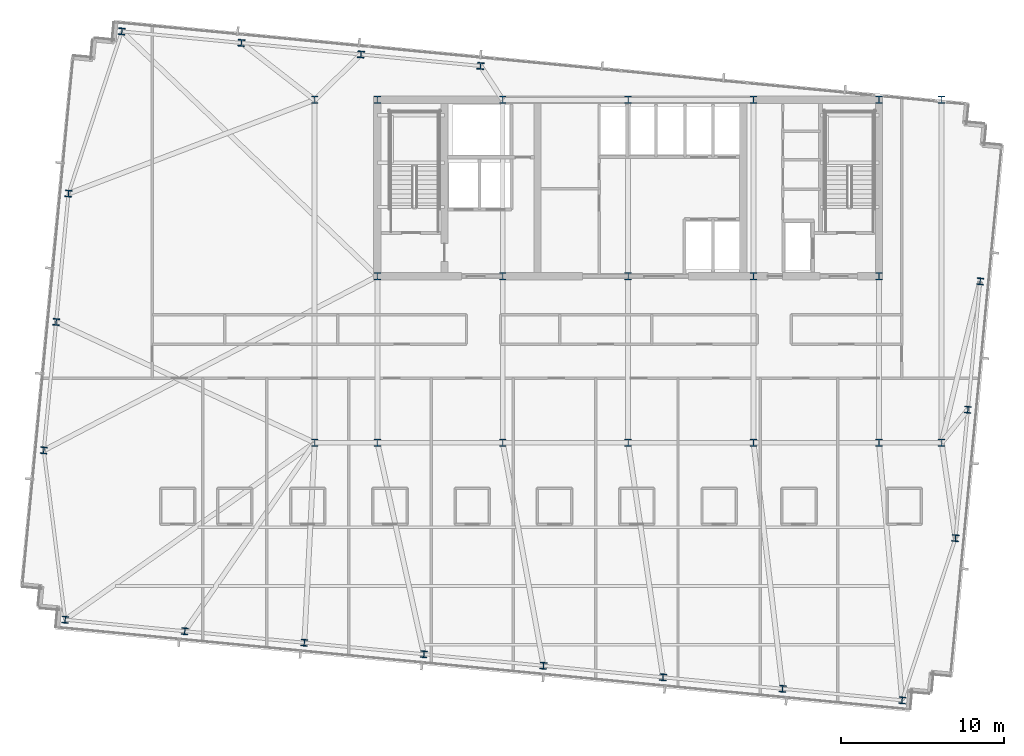
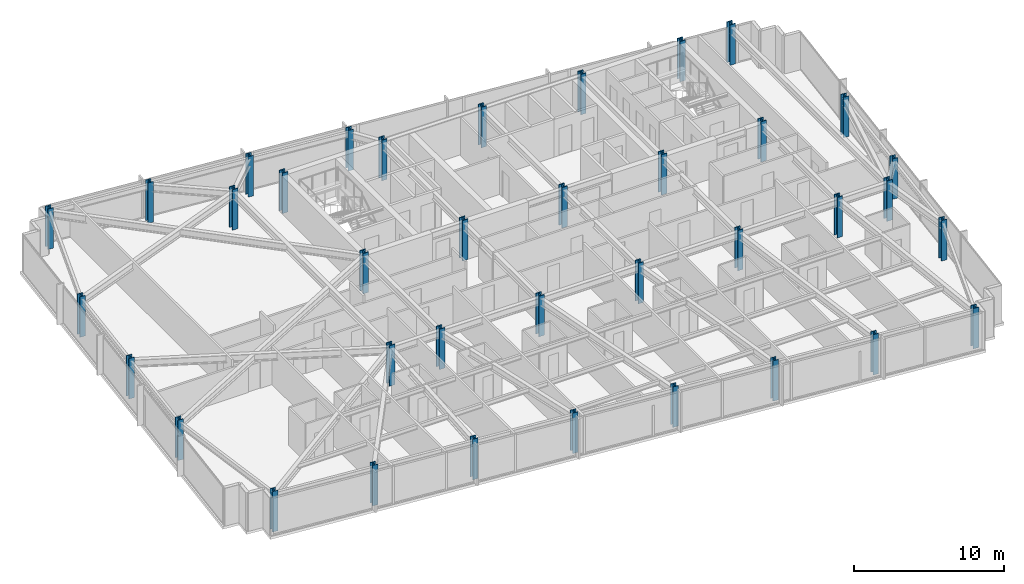
# One storey, part 1 of 37: 37 columns.
"""IFC4 building model written with IfcOpenShell, lengths in metres."""

import ifcopenshell
import ifcopenshell.guid

model = None  # the IFC model being written
_history = None  # IfcOwnerHistory: only IFC2X3 demands one
_inside = {}  # id of a spatial element -> (the spatial element, [elements in it])
_under = {}  # id of a project, library or spatial element -> (it, [spatial elements below it])
_declared = {}  # id of a project -> (the project, [libraries it declares])
_typed = {}  # id of a type object -> (the type object, [elements of that type])
_made_of = {}  # id of a material, layer set ... -> (it, [elements and type objects made of it])


def new_model(schema):
    """Start an empty IFC model of exactly this schema.

    Asked for "IFC4X3", IfcOpenShell would pick the latest addendum, in which some entities
    have other attributes; the version numbers below select the first issue.
    IFC2X3 requires an IfcOwnerHistory on every rooted entity: one is made here for all.
    """
    global model, _history
    if schema == "IFC4X3":
        model = ifcopenshell.file(schema_version=(4, 3, 0, 0))
    else:
        model = ifcopenshell.file(schema=schema)
    _inside.clear()
    _under.clear()
    _declared.clear()
    _typed.clear()
    _made_of.clear()
    _history = None
    if model.schema == "IFC2X3":
        org = make("IfcOrganization", Name="unknown")
        user = make(
            "IfcPersonAndOrganization",
            ThePerson=make("IfcPerson", FamilyName="unknown"),
            TheOrganization=org,
        )
        app = make(
            "IfcApplication",
            ApplicationDeveloper=org,
            Version="unknown",
            ApplicationFullName="unknown",
            ApplicationIdentifier="unknown",
        )
        _history = make(
            "IfcOwnerHistory",
            OwningUser=user,
            OwningApplication=app,
            ChangeAction="ADDED",
            CreationDate=0,
        )
    return model


def make(cls, **values):
    """One entity of the class cls with the attributes given. An attribute that is None is left unset."""
    return model.create_entity(
        cls, **{name: value for name, value in values.items() if value is not None}
    )


def rooted(cls, **values):
    """An entity with a GlobalId (a new one), such as an element, a storey or a relation."""
    return make(cls, GlobalId=ifcopenshell.guid.new(), OwnerHistory=_history, **values)


def si_unit(unit_type, name, prefix=None):
    """IfcSIUnit, for example si_unit("LENGTHUNIT", "METRE", prefix="MILLI")."""
    return make("IfcSIUnit", UnitType=unit_type, Prefix=prefix, Name=name)


def assignment(units):
    """IfcUnitAssignment: the units of a project."""
    return None if units is None else make("IfcUnitAssignment", Units=units)


def point(xyz):
    """IfcCartesianPoint."""
    return None if xyz is None else make("IfcCartesianPoint", Coordinates=xyz)


def direction(xyz):
    """IfcDirection."""
    return None if xyz is None else make("IfcDirection", DirectionRatios=xyz)


def frame(location, z_axis=None, x_axis=None):
    """IfcAxis2Placement3D, a coordinate frame: its origin and axes. An axis left out is left unset."""
    return make(
        "IfcAxis2Placement3D",
        Location=point(location),
        Axis=direction(z_axis),
        RefDirection=direction(x_axis),
    )


def frame_2d(location, x_axis=None):
    """IfcAxis2Placement2D, a coordinate frame in the plane: its origin and x axis."""
    return make(
        "IfcAxis2Placement2D", Location=point(location), RefDirection=direction(x_axis)
    )


def origin():
    """The frame at (0, 0, 0) with its axes left unset."""
    return frame((0.0, 0.0, 0.0))


def origin_2d():
    """The frame at (0, 0) in the plane with its x axis left unset."""
    return frame_2d((0.0, 0.0))


def place(relative_to, where):
    """IfcLocalPlacement: puts the frame where relative to a parent placement (None: the world)."""
    return make(
        "IfcLocalPlacement", PlacementRelTo=relative_to, RelativePlacement=where
    )


def context(
    kind, dimensions, precision=None, world=None, true_north=None, identifier=None
):
    """IfcGeometricRepresentationContext, for example the 3D "Model" context."""
    return make(
        "IfcGeometricRepresentationContext",
        ContextIdentifier=identifier,
        ContextType=kind,
        CoordinateSpaceDimension=dimensions,
        Precision=precision,
        WorldCoordinateSystem=world,
        TrueNorth=true_north,
    )


def subcontext(parent, identifier, kind, view, scale=None):
    """IfcGeometricRepresentationSubContext, for example "Body" below "Model"."""
    return make(
        "IfcGeometricRepresentationSubContext",
        ContextIdentifier=identifier,
        ContextType=kind,
        ParentContext=parent,
        TargetScale=scale,
        TargetView=view,
    )


def project(units=None, contexts=None):
    """IfcProject with its units and contexts."""
    return rooted(
        "IfcProject",
        Name="project",
        RepresentationContexts=contexts,
        UnitsInContext=assignment(units),
    )


def spatial(cls, under=None, at=None, **own):
    """A site, building, storey or space (cls), placed at a placement, below another one or the project."""
    s = rooted(cls, ObjectPlacement=at, **own)
    if under is not None:
        _under.setdefault(under.id(), (under, []))[1].append(s)
    return s


def profile(cls, at=None, kind="AREA", **sizes):
    """A parametric profile (cls). Its sizes go by their IFC names, for example OverallWidth=200.0."""
    return make(cls, ProfileType=kind, Position=at, **sizes)


def i_section(**sizes):
    """IfcIShapeProfileDef."""
    return profile("IfcIShapeProfileDef", **sizes)


def extrude(swept, where, along, depth):
    """IfcExtrudedAreaSolid: the profile swept, set in the frame where, extruded along a direction by depth."""
    return make(
        "IfcExtrudedAreaSolid",
        SweptArea=swept,
        Position=where,
        ExtrudedDirection=direction(along),
        Depth=depth,
    )


def shape(context_of_items, identifier, shape_type, items):
    """IfcShapeRepresentation: the items that make up one representation, for example the "Body"."""
    return make(
        "IfcShapeRepresentation",
        ContextOfItems=context_of_items,
        RepresentationIdentifier=identifier,
        RepresentationType=shape_type,
        Items=items,
    )


def material(Name=None, Category=None):
    """IfcMaterial."""
    return make("IfcMaterial", Name=Name, Category=Category)


def material_profile(
    of_material, cross_section, Name=None, Category=None, Priority=None
):
    """IfcMaterialProfile: a cross section and its material."""
    return make(
        "IfcMaterialProfile",
        Name=Name,
        Material=of_material,
        Profile=cross_section,
        Priority=Priority,
        Category=Category,
    )


def profile_set(profiles, Name=None, composite=None):
    """IfcMaterialProfileSet."""
    return make(
        "IfcMaterialProfileSet",
        Name=Name,
        MaterialProfiles=profiles,
        CompositeProfile=composite,
    )


def made_of(thing, what):
    """Note that an element or type object is made of a material, layer set ...; save() writes the relation."""
    if what is not None:
        _made_of.setdefault(what.id(), (what, []))[1].append(thing)
    return thing


def type_object(cls, material=None, **own):
    """A type object (cls), such as IfcWallType, which elements share."""
    return made_of(rooted(cls, **own), material)


def element(
    cls,
    number,
    at=None,
    inside=None,
    cuts=None,
    type_object=None,
    material=None,
    context=None,
    identifier="Body",
    shape_type=None,
    held_by="IfcProductDefinitionShape",
    body=None,
    shapes=None,
    **own,
):
    """One element of the class cls, such as IfcWall. Its Tag is "e" and its number.

    at: its placement. inside: the storey or other place that contains it. cuts: it is an
    opening in that element (IfcRelVoidsElement). A single representation is given by context,
    identifier, shape_type and body (its items); several are given by shapes. held_by: the class
    of the entity that holds the representations. save() writes the other relations.
    """
    e = rooted(cls, Tag="e%d" % number, ObjectPlacement=at, **own)
    if body is not None:
        shapes = [shape(context, identifier, shape_type, body)]
    if shapes is not None:
        e.Representation = make(held_by, Representations=shapes)
    if inside is not None:
        _inside.setdefault(inside.id(), (inside, []))[1].append(e)
    if cuts is not None:
        rooted(
            "IfcRelVoidsElement", RelatingBuildingElement=cuts, RelatedOpeningElement=e
        )
    if type_object is not None:
        _typed.setdefault(type_object.id(), (type_object, []))[1].append(e)
    return made_of(e, material)


def aggregate(whole, parts):
    """IfcRelAggregates: a whole, such as a stair, and the parts it consists of."""
    return rooted("IfcRelAggregates", RelatingObject=whole, RelatedObjects=parts)


def save(model, path):
    """Write the relations noted so far, then the file.

    IfcRelAggregates (storeys below a building ...), IfcRelContainedInSpatialStructure (elements
    in a storey), IfcRelDefinesByType, IfcRelAssociatesMaterial and IfcRelDeclares: one each for
    every whole, place, type object, material and project.
    """
    for whole, parts in _under.values():
        aggregate(whole, parts)
    for where, things in _inside.values():
        rooted(
            "IfcRelContainedInSpatialStructure",
            RelatedElements=things,
            RelatingStructure=where,
        )
    for kind, things in _typed.values():
        rooted("IfcRelDefinesByType", RelatedObjects=things, RelatingType=kind)
    for what, things in _made_of.values():
        rooted("IfcRelAssociatesMaterial", RelatedObjects=things, RelatingMaterial=what)
    for by, libraries in _declared.values():
        rooted("IfcRelDeclares", RelatingContext=by, RelatedDefinitions=libraries)
    model.write(path)


model = new_model("IFC4")

# Units and contexts
model_context = context("Model", 3, precision=1e-05, world=origin(), true_north=direction((0.0, 1.0)))
body_context = subcontext(model_context, "Body", "Model", "MODEL_VIEW")
ifc_project = project(units=[si_unit("LENGTHUNIT", "METRE"), si_unit("AREAUNIT", "SQUARE_METRE"), si_unit("VOLUMEUNIT", "CUBIC_METRE"), si_unit("PLANEANGLEUNIT", "RADIAN"), si_unit("MASSUNIT", "GRAM", prefix="KILO")], contexts=[model_context])

# Site, building, storey
site_placement = place(None, origin())
site = spatial("IfcSite", under=ifc_project, at=site_placement, CompositionType="ELEMENT")
building_placement = place(site_placement, origin())
building = spatial("IfcBuilding", under=site, at=building_placement, Name="Yelkora Congress Tower", CompositionType="ELEMENT")
storey_placement = place(building_placement, frame((0.0, 0.0, 182.0)))
storey = spatial("IfcBuildingStorey", under=building, at=storey_placement, Name="L50", CompositionType="ELEMENT", Elevation=182.0)

# Columns
ifc_material = material(Name="Steel S460M", Category="steel")
ifc_material_profile_1 = material_profile(ifc_material, i_section(OverallWidth=0.406005859375, OverallDepth=0.416015625, WebThickness=0.02978515625, FlangeThickness=0.048095703125, FilletRadius=0.014892578125, at=origin_2d()), Name="HD 400x382")
ifc_profile_set_1 = profile_set([ifc_material_profile_1], Name="Steel S460M")
column_type_1 = type_object("IfcColumnType", Name="COL-HD-382-EXT", PredefinedType="COLUMN", material=ifc_profile_set_1)
for number, where, z_axis, x_axis, name in (
    (1, (3.919189453125, 14.357421875, 0.0), (0.0, 0.0, 1.0), (0.995396198367, -0.09584575252, 0.0), "L50 Perimeter Column S01"),
    (2, (11.242431640625, 13.652099609375, 0.0), (0.0, 0.0, 1.0), (0.995396198367, -0.09584575252, 0.0), "L50 Perimeter Column S02"),
    (3, (18.56591796875, 12.947021484375, 0.0), (0.0, 0.0, 1.0), (0.995396198367, -0.09584575252, 0.0), "L50 Perimeter Column S03"),
    (4, (25.888916015625, 12.24169921875, 0.0), (0.0, 0.0, 1.0), (0.995396198367, -0.09584575252, 0.0), "L50 Perimeter Column S04"),
    (5, (33.21240234375, 11.53662109375, 0.0), (0.0, 0.0, 1.0), (0.995396198367, -0.09584575252, 0.0), "L50 Perimeter Column S05"),
    (6, (40.53564453125, 10.83154296875, 0.0), (0.0, 0.0, 1.0), (0.995396198367, -0.09584575252, 0.0), "L50 Perimeter Column S06"),
    (7, (47.85888671875, 10.12646484375, 0.0), (0.0, 0.0, 1.0), (0.995396198367, -0.09584575252, 0.0), "L50 Perimeter Column S07"),
    (8, (55.18212890625, 9.421142578125, 0.0), (0.0, 0.0, 1.0), (0.995396198367, -0.09584575252, 0.0), "L50 Perimeter Column S08"),
    (9, (7.388916015625, 50.390625, 0.0), (0.0, 0.0, 1.0), (0.995396198367, -0.09584575252, 0.0), "L50 Perimeter Column N01"),
    (10, (14.712158203125, 49.685546875, 0.0), (0.0, 0.0, 1.0), (0.995396198367, -0.09584575252, 0.0), "L50 Perimeter Column N02"),
    (11, (22.035400390625, 48.980224609375, 0.0), (0.0, 0.0, 1.0), (0.995396198367, -0.09584575252, 0.0), "L50 Perimeter Column N03"),
    (12, (29.358642578125, 48.275146484375, 0.0), (0.0, 0.0, 1.0), (0.995396198367, -0.09584575252, 0.0), "L50 Perimeter Column N04"),
    (13, (2.607421875, 24.730712890625, 0.0), (0.0, 0.0, 1.0), (0.995396198367, -0.09584575252, 0.0), "L50 Perimeter Column W01"),
    (14, (58.44921875, 19.353759765625, 0.0), (0.0, 0.0, 1.0), (0.995396198367, -0.09584575252, 0.0), "L50 Perimeter Column E01"),
    (15, (3.364501953125, 32.594482421875, 0.0), (0.0, 0.0, 1.0), (0.995396198367, -0.09584575252, 0.0), "L50 Perimeter Column W02"),
    (16, (59.206298828125, 27.217529296875, 0.0), (0.0, 0.0, 1.0), (0.995396198367, -0.09584575252, 0.0), "L50 Perimeter Column E02"),
    (17, (4.121826171875, 40.4580078125, 0.0), (0.0, 0.0, 1.0), (0.995396198367, -0.09584575252, 0.0), "L50 Perimeter Column W03"),
    (18, (59.96337890625, 35.0810546875, 0.0), (0.0, 0.0, 1.0), (0.995396198367, -0.09584575252, 0.0), "L50 Perimeter Column E03"),
):
    element("IfcColumn", number, at=place(storey_placement, frame(where, z_axis=z_axis, x_axis=x_axis)), inside=storey, type_object=column_type_1, Name=name, PredefinedType="COLUMN", context=body_context, shape_type="SweptSolid", body=[
        extrude(i_section(OverallWidth=0.406005859375, OverallDepth=0.416015625, WebThickness=0.02978515625, FlangeThickness=0.048095703125, FilletRadius=0.014892578125, at=origin_2d()), origin(), (0.0, 0.0, 1.0), 3.300048828125),
    ])
ifc_material_profile_2 = material_profile(ifc_material, i_section(OverallWidth=0.41796875, OverallDepth=0.455078125, WebThickness=0.0419921875, FlangeThickness=0.068115234375, FilletRadius=0.014892578125, at=origin_2d()), Name="HD 400x551")
ifc_profile_set_2 = profile_set([ifc_material_profile_2], Name="Steel S460M")
column_type_2 = type_object("IfcColumnType", Name="COL-HD-551", PredefinedType="COLUMN", material=ifc_profile_set_2)
for number, where, z_axis, x_axis, name in (
    (19, (23.0400390625, 35.39990234375, 0.0), (0.0, 0.0, 1.0), (1.0, 0.0, 0.0), "L50 Mega Column MC-S1"),
    (20, (23.0400390625, 46.199951171875, 0.0), (0.0, 0.0, 1.0), (1.0, 0.0, 0.0), "L50 Mega Column MC-N1"),
    (21, (23.0400390625, 25.199951171875, 0.0), (0.0, 0.0, 1.0), (1.0, 0.0, 0.0), "L50 Mega Column MC-D1"),
    (22, (30.719970703125, 35.39990234375, 0.0), (0.0, 0.0, 1.0), (1.0, 0.0, 0.0), "L50 Mega Column MC-S2"),
    (23, (30.719970703125, 46.199951171875, 0.0), (0.0, 0.0, 1.0), (1.0, 0.0, 0.0), "L50 Mega Column MC-N2"),
    (24, (30.719970703125, 25.199951171875, 0.0), (0.0, 0.0, 1.0), (1.0, 0.0, 0.0), "L50 Mega Column MC-D2"),
    (25, (38.39990234375, 35.39990234375, 0.0), (0.0, 0.0, 1.0), (1.0, 0.0, 0.0), "L50 Mega Column MC-S3"),
    (26, (38.39990234375, 46.199951171875, 0.0), (0.0, 0.0, 1.0), (1.0, 0.0, 0.0), "L50 Mega Column MC-N3"),
    (27, (38.39990234375, 25.199951171875, 0.0), (0.0, 0.0, 1.0), (1.0, 0.0, 0.0), "L50 Mega Column MC-D3"),
    (28, (46.080078125, 35.39990234375, 0.0), (0.0, 0.0, 1.0), (1.0, 0.0, 0.0), "L50 Mega Column MC-S4"),
    (29, (46.080078125, 46.199951171875, 0.0), (0.0, 0.0, 1.0), (1.0, 0.0, 0.0), "L50 Mega Column MC-N4"),
    (30, (46.080078125, 25.199951171875, 0.0), (0.0, 0.0, 1.0), (1.0, 0.0, 0.0), "L50 Mega Column MC-D4"),
    (31, (53.760009765625, 35.39990234375, 0.0), (0.0, 0.0, 1.0), (1.0, 0.0, 0.0), "L50 Mega Column MC-S5"),
    (32, (53.760009765625, 46.199951171875, 0.0), (0.0, 0.0, 1.0), (1.0, 0.0, 0.0), "L50 Mega Column MC-N5"),
    (33, (53.760009765625, 25.199951171875, 0.0), (0.0, 0.0, 1.0), (1.0, 0.0, 0.0), "L50 Mega Column MC-D5"),
    (34, (19.199951171875, 25.199951171875, 0.0), (0.0, 0.0, 1.0), (1.0, 0.0, 0.0), "L50 Mega Column MC-F1"),
    (35, (57.60009765625, 25.199951171875, 0.0), (0.0, 0.0, 1.0), (1.0, 0.0, 0.0), "L50 Mega Column MC-F2"),
    (36, (19.199951171875, 46.199951171875, 0.0), (0.0, 0.0, 1.0), (1.0, 0.0, 0.0), "L50 Mega Column MC-F3"),
    (37, (57.60009765625, 46.199951171875, 0.0), (0.0, 0.0, 1.0), (1.0, 0.0, 0.0), "L50 Mega Column MC-F4"),
):
    element("IfcColumn", number, at=place(storey_placement, frame(where, z_axis=z_axis, x_axis=x_axis)), inside=storey, type_object=column_type_2, Name=name, PredefinedType="COLUMN", context=body_context, shape_type="SweptSolid", body=[
        extrude(i_section(OverallWidth=0.41796875, OverallDepth=0.455078125, WebThickness=0.0419921875, FlangeThickness=0.068115234375, FilletRadius=0.014892578125, at=origin_2d()), origin(), (0.0, 0.0, 1.0), 3.300048828125),
    ])

save(model, "model.ifc")
